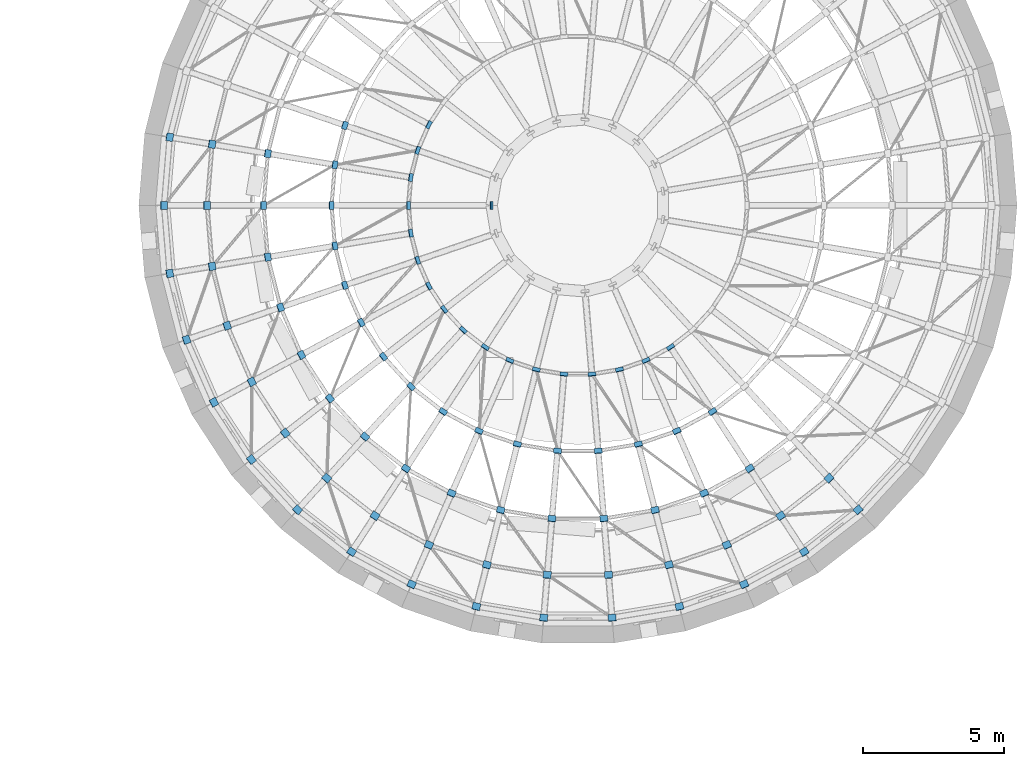
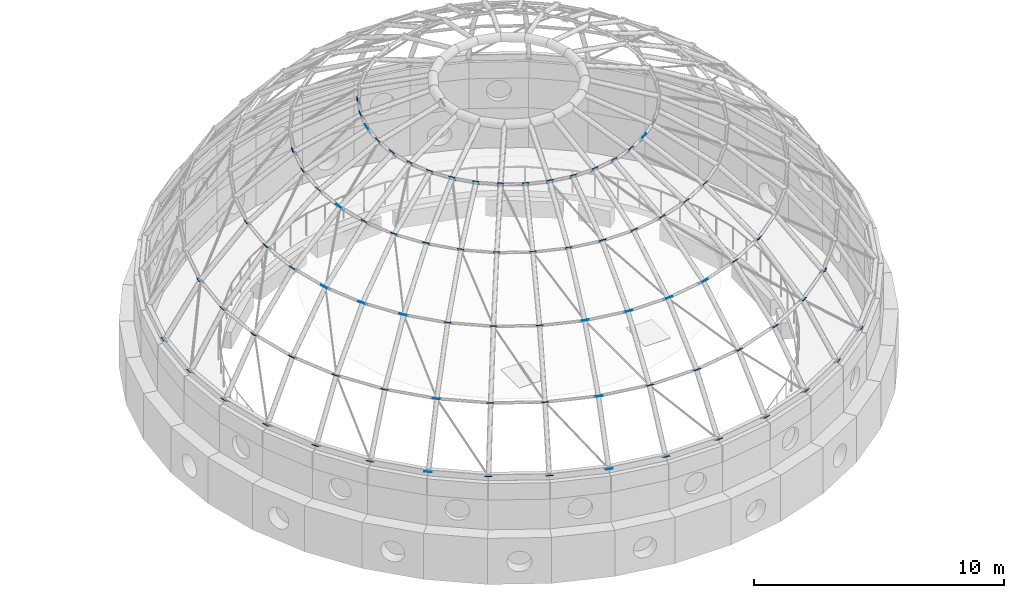
# One storey, part 63 of 98: 81 discrete accessories.
"""IFC4 building model written with IfcOpenShell, lengths in metres."""

from ifc_helpers import new_model, si_unit, direction, frame, origin, origin_2d, place, context, subcontext, project, spatial, rectangle, extrude, material, material_profile, profile_set, type_object, element, save


model = new_model("IFC4")

# Units and contexts
model_context = context("Model", 3, precision=1e-05, world=origin(), true_north=direction((0.0, 1.0)))
body_context = subcontext(model_context, "Body", "Model", "MODEL_VIEW")
ifc_project = project(units=[si_unit("LENGTHUNIT", "METRE"), si_unit("AREAUNIT", "SQUARE_METRE"), si_unit("VOLUMEUNIT", "CUBIC_METRE"), si_unit("PLANEANGLEUNIT", "RADIAN"), si_unit("MASSUNIT", "GRAM", prefix="KILO")], contexts=[model_context])

# Site, building, storey
site_placement = place(None, origin())
site = spatial("IfcSite", under=ifc_project, at=site_placement, CompositionType="ELEMENT")
building_placement = place(site_placement, origin())
building = spatial("IfcBuilding", under=site, at=building_placement, Name="Sun Court Science Centre", CompositionType="ELEMENT")
storey_placement = place(building_placement, frame((0.0, 0.0, 15.75)))
storey = spatial("IfcBuildingStorey", under=building, at=storey_placement, Name="L03", CompositionType="ELEMENT", Elevation=15.75)

# Discrete accessories
ifc_material = material(Name="Steel S355", Category="steel")
ifc_material_profile = material_profile(ifc_material, rectangle(XDim=0.280029296875, YDim=0.280029296875, at=origin_2d()), Name="PL 280x280")
ifc_profile_set = profile_set([ifc_material_profile], Name="Steel S355")
discrete_accessory_type = type_object("IfcDiscreteAccessoryType", Name="Dome node plate 280x280x20", PredefinedType="BRACKET", material=ifc_profile_set)
discrete_accessory_1_placement = place(storey_placement, frame((45.699951171875, 99.668212890625, 12.5302734375), z_axis=(0.77811909591, -0.425533880576, 0.462008213197), x_axis=(0.479812341943, 0.877371139552, 0.0)))
element("IfcDiscreteAccessory", 1, at=discrete_accessory_1_placement, inside=storey, type_object=discrete_accessory_type, Name="Dome node plate 88", PredefinedType="BRACKET", context=body_context, shape_type="SweptSolid", body=[
    extrude(rectangle(XDim=0.280029296875, YDim=0.280029296875, at=origin_2d()), origin(), (0.0, 0.0, 1.0), 0.02001953125),
])
discrete_accessory_2_placement = place(storey_placement, frame((42.716064453125, 99.643798828125, 11.112060546875), z_axis=(0.738493001556, -0.246164333852, 0.627719051322), x_axis=(0.316227766017, 0.948683298051, 0.0)))
element("IfcDiscreteAccessory", 2, at=discrete_accessory_2_placement, inside=storey, type_object=discrete_accessory_type, Name="Dome node plate 92", PredefinedType="BRACKET", context=body_context, shape_type="SweptSolid", body=[
    extrude(rectangle(XDim=0.280029296875, YDim=0.280029296875, at=origin_2d()), origin(), (0.0, 0.0, 1.0), 0.019775390625),
])
for number, where, z_axis, x_axis, name in (
    (3, (45.30029296875, 98.7568359375, 12.5302734375), (0.837919347852, -0.291450207949, 0.461462829252), (0.328520624941, 0.944496796706, 0.0), "Dome node plate 93"),
    (4, (36.49658203125, 99.22021484375, 4.341552734375), (0.51261459463, -0.085435765772, 0.854357657717), (0.164398987305, 0.986393923832, 0.0), "Dome node plate 95"),
    (5, (38.00244140625, 98.968994140625, 6.864990234375), (0.51261459463, -0.085435765772, 0.854357657717), (0.164398987305, 0.986393923832, 0.0), "Dome node plate 96"),
):
    element("IfcDiscreteAccessory", number, at=place(storey_placement, frame(where, z_axis=z_axis, x_axis=x_axis)), inside=storey, type_object=discrete_accessory_type, Name=name, PredefinedType="BRACKET", context=body_context, shape_type="SweptSolid", body=[
        extrude(rectangle(XDim=0.280029296875, YDim=0.280029296875, at=origin_2d()), origin(), (0.0, 0.0, 1.0), 0.02001953125),
    ])
discrete_accessory_3_placement = place(storey_placement, frame((39.98095703125, 98.638671875, 9.200439453125), z_axis=(0.639494658326, -0.098383793589, 0.762474400312), x_axis=(0.152057184254, 0.988371697651, 0.0)))
element("IfcDiscreteAccessory", 6, at=discrete_accessory_3_placement, inside=storey, type_object=discrete_accessory_type, Name="Dome node plate 97", PredefinedType="BRACKET", context=body_context, shape_type="SweptSolid", body=[
    extrude(rectangle(XDim=0.280029296875, YDim=0.280029296875, at=origin_2d()), origin(), (0.0, 0.0, 1.0), 0.019775390625),
])
for number, where, z_axis, x_axis, name in (
    (7, (42.36083984375, 98.24169921875, 11.112060546875), (0.770184961685, -0.134476739342, 0.623483064221), (0.17200102348, 0.985096770841, 0.0), "Dome node plate 98"),
    (8, (45.055908203125, 97.7919921875, 12.5302734375), (0.874931437699, -0.145821906283, 0.461769369896), (0.164398987305, 0.986393923832, 0.0), "Dome node plate 99"),
    (9, (36.296142578125, 96.800048828125, 4.341552734375), (0.514495755428, 0.0, 0.857492925713), (0.0, 1.0, 0.0), "Dome node plate 100"),
    (10, (37.82275390625, 96.800048828125, 6.864990234375), (0.514495755428, 0.0, 0.857492925713), (0.0, 1.0, 0.0), "Dome node plate 101"),
    (11, (39.828369140625, 96.800048828125, 9.200439453125), (0.656780744804, 0.0, 0.754081595886), (0.0, 1.0, 0.0), "Dome node plate 102"),
    (12, (42.241455078125, 96.800048828125, 11.112060546875), (0.782059551443, 0.0, 0.623203705056), (0.0, 1.0, 0.0), "Dome node plate 103"),
    (13, (44.9736328125, 96.800048828125, 12.5302734375), (0.887017774073, 0.0, 0.461735279655), (0.0, 1.0, 0.0), "Dome node plate 104"),
    (14, (47.92578125, 96.800048828125, 13.4033203125), (0.960136007106, 0.0, 0.279533267892), (0.0, 1.0, 0.0), "Dome node plate 105"),
    (15, (36.49658203125, 94.3798828125, 4.341552734375), (0.51261459463, 0.085435765772, 0.854357657717), (-0.164398987305, 0.986393923832, 0.0), "Dome node plate 106"),
    (16, (38.00244140625, 94.631103515625, 6.864990234375), (0.51261459463, 0.085435765772, 0.854357657717), (-0.164398987305, 0.986393923832, 0.0), "Dome node plate 107"),
):
    element("IfcDiscreteAccessory", number, at=place(storey_placement, frame(where, z_axis=z_axis, x_axis=x_axis)), inside=storey, type_object=discrete_accessory_type, Name=name, PredefinedType="BRACKET", context=body_context, shape_type="SweptSolid", body=[
        extrude(rectangle(XDim=0.280029296875, YDim=0.280029296875, at=origin_2d()), origin(), (0.0, 0.0, 1.0), 0.02001953125),
    ])
discrete_accessory_4_placement = place(storey_placement, frame((39.98095703125, 94.961181640625, 9.200439453125), z_axis=(0.638674143313, 0.110539755573, 0.76149609395), x_axis=(-0.170541433706, 0.985350505855, 0.0)))
element("IfcDiscreteAccessory", 17, at=discrete_accessory_4_placement, inside=storey, type_object=discrete_accessory_type, Name="Dome node plate 108", PredefinedType="BRACKET", context=body_context, shape_type="SweptSolid", body=[
    extrude(rectangle(XDim=0.280029296875, YDim=0.280029296875, at=origin_2d()), origin(), (0.0, 0.0, 1.0), 0.019775390625),
])
for number, where, z_axis, x_axis, name in (
    (18, (42.36083984375, 95.3583984375, 11.112060546875), (0.771396443966, 0.122443879995, 0.624463787972), (-0.156767544201, 0.987635528464, 0.0), "Dome node plate 109"),
    (19, (45.055908203125, 95.80810546875, 12.5302734375), (0.874931437699, 0.145821906283, 0.461769369896), (-0.164398987305, 0.986393923832, 0.0), "Dome node plate 110"),
    (20, (37.0927734375, 92.025634765625, 4.341552734375), (0.488823716738, 0.171088300858, 0.855441504291), (-0.330350424728, 0.943858356366, 0.0), "Dome node plate 111"),
    (21, (38.53662109375, 92.521240234375, 6.864990234375), (0.498041020004, 0.170062787318, 0.850313936592), (-0.323143853292, 0.946349856068, 0.0), "Dome node plate 112"),
):
    element("IfcDiscreteAccessory", number, at=place(storey_placement, frame(where, z_axis=z_axis, x_axis=x_axis)), inside=storey, type_object=discrete_accessory_type, Name=name, PredefinedType="BRACKET", context=body_context, shape_type="SweptSolid", body=[
        extrude(rectangle(XDim=0.280029296875, YDim=0.280029296875, at=origin_2d()), origin(), (0.0, 0.0, 1.0), 0.02001953125),
    ])
for number, where, z_axis, x_axis, name in (
    (22, (40.433837890625, 93.172607421875, 9.200439453125), (0.613924557236, 0.20873434946, 0.761266450973), (-0.321902733239, 0.94677274482, 0.0), "Dome node plate 113"),
    (23, (42.716064453125, 93.9560546875, 11.112060546875), (0.736210173832, 0.257673560841, 0.625778647757), (-0.330350424728, 0.943858356366, 0.0), "Dome node plate 114"),
):
    element("IfcDiscreteAccessory", number, at=place(storey_placement, frame(where, z_axis=z_axis, x_axis=x_axis)), inside=storey, type_object=discrete_accessory_type, Name=name, PredefinedType="BRACKET", context=body_context, shape_type="SweptSolid", body=[
        extrude(rectangle(XDim=0.280029296875, YDim=0.280029296875, at=origin_2d()), origin(), (0.0, 0.0, 1.0), 0.019775390625),
    ])
for number, where, z_axis, x_axis, name in (
    (24, (45.30029296875, 94.84326171875, 12.5302734375), (0.837919347852, 0.291450207949, 0.461462829252), (-0.328520624941, 0.944496796706, 0.0), "Dome node plate 115"),
    (25, (38.068359375, 89.8017578125, 4.341552734375), (0.453076320995, 0.244906119457, 0.857171418099), (-0.475517034365, 0.879706513576, 0.0), "Dome node plate 117"),
    (26, (39.410888671875, 90.5283203125, 6.864990234375), (0.462726972936, 0.243540512072, 0.852391792251), (-0.465746432833, 0.884918222382, 0.0), "Dome node plate 118"),
    (27, (41.175048828125, 91.48291015625, 9.200439453125), (0.572957744174, 0.316955347841, 0.755816598697), (-0.484061385167, 0.875034042418, 0.0), "Dome node plate 119"),
    (28, (43.297119140625, 92.63134765625, 11.112060546875), (0.684251023036, 0.378781816324, 0.623157181694), (-0.484315883017, 0.87489320803, 0.0), "Dome node plate 120"),
    (29, (45.699951171875, 93.931884765625, 12.5302734375), (0.782117946781, 0.415500159227, 0.464382530901), (-0.469155225962, 0.883115719457, 0.0), "Dome node plate 121"),
    (30, (39.396484375, 87.7685546875, 4.341552734375), (0.414387707005, 0.316884717122, 0.853151161482), (-0.607450107571, 0.794357832977, 0.0), "Dome node plate 122"),
    (31, (40.601318359375, 88.706298828125, 6.864990234375), (0.40421633776, 0.318473478235, 0.857428595248), (-0.618872226604, 0.785491672228, 0.0), "Dome node plate 123"),
    (32, (42.18408203125, 89.938232421875, 9.200439453125), (0.513226580635, 0.403249456213, 0.757620190461), (-0.617821551932, 0.786318338822, 0.0), "Dome node plate 124"),
    (33, (44.088134765625, 91.42041015625, 11.112060546875), (0.621997473275, 0.475645126622, 0.621997473275), (-0.607450107571, 0.794357832977, 0.0), "Dome node plate 125"),
    (34, (46.244384765625, 93.0986328125, 12.5302734375), (0.706267485008, 0.535789126558, 0.462726972936), (-0.604386481374, 0.796691270902, 0.0), "Dome node plate 126"),
    (35, (41.041259765625, 85.98193359375, 4.341552734375), (0.354238521157, 0.378668763996, 0.855058499345), (-0.730271413519, 0.683157128776, 0.0), "Dome node plate 128"),
    (36, (42.0751953125, 87.105224609375, 6.864990234375), (0.354238521157, 0.378668763996, 0.855058499345), (-0.730271413519, 0.683157128776, 0.0), "Dome node plate 129"),
    (37, (43.433837890625, 88.580810546875, 9.200439453125), (0.44109565921, 0.47785363081, 0.759664746416), (-0.734803444627, 0.678280102733, 0.0), "Dome node plate 130"),
    (38, (45.06787109375, 90.356201171875, 11.112060546875), (0.535709697438, 0.572235358627, 0.620936240212), (-0.730021398632, 0.683424288081, 0.0), "Dome node plate 131"),
    (39, (46.91845703125, 92.3662109375, 12.5302734375), (0.595923637316, 0.656732171736, 0.462144861592), (-0.740560305137, 0.671989906513, 0.0), "Dome node plate 132"),
    (40, (42.957763671875, 84.490234375, 4.341552734375), (0.280466949991, 0.438991747812, 0.85359506519), (-0.842696259812, 0.538389277102, 0.0), "Dome node plate 133"),
    (41, (43.792724609375, 85.7685546875, 6.864990234375), (0.281959309119, 0.429068513877, 0.858137027753), (-0.835705479701, 0.549177886661, 0.0), "Dome node plate 134"),
    (42, (44.8896484375, 87.447509765625, 9.200439453125), (0.364635541535, 0.546953312302, 0.753580119172), (-0.832050294338, 0.554700196225, 0.0), "Dome node plate 135"),
    (43, (46.20947265625, 89.467529296875, 11.112060546875), (0.426259106492, 0.65765690716, 0.621120412317), (-0.839152986556, 0.54389545425, 0.0), "Dome node plate 136"),
    (44, (47.703857421875, 91.7548828125, 12.5302734375), (0.486324434944, 0.74164476329, 0.462008213197), (-0.836244367386, 0.54835696222, 0.0), "Dome node plate 137"),
    (45, (45.093505859375, 83.33447265625, 4.341552734375), (0.207533237602, 0.476105662733, 0.854548625418), (-0.916695964708, 0.399585420514, 0.0), "Dome node plate 139"),
    (46, (45.706787109375, 84.732666015625, 6.864990234375), (0.207533237602, 0.476105662733, 0.854548625418), (-0.916695964708, 0.399585420514, 0.0), "Dome node plate 140"),
    (47, (46.512451171875, 86.5693359375, 9.200439453125), (0.256824297357, 0.599256693833, 0.758243163625), (-0.919145030018, 0.393919298579, 0.0), "Dome node plate 141"),
    (48, (47.481689453125, 88.779052734375, 11.112060546875), (0.316274555655, 0.717699953217, 0.620384705323), (-0.915086186066, 0.403258319283, 0.0), "Dome node plate 142"),
    (49, (48.579345703125, 91.28125, 12.5302734375), (0.352350913471, 0.814052110433, 0.461701196962), (-0.917722116807, 0.397223005782, 0.0), "Dome node plate 143"),
    (50, (47.390380859375, 82.5458984375, 4.341552734375), (0.122343038988, 0.50160645985, 0.856401272914), (-0.971520338783, 0.236956180191, 0.0), "Dome node plate 144"),
    (51, (47.76513671875, 84.02587890625, 6.864990234375), (0.134366335611, 0.500819978188, 0.855058499345), (-0.965842837235, 0.259128566087, 0.0), "Dome node plate 145"),
    (52, (48.257568359375, 85.97021484375, 9.200439453125), (0.158619171872, 0.634476687487, 0.756491435081), (-0.970142500145, 0.242535625036, 0.0), "Dome node plate 146"),
):
    element("IfcDiscreteAccessory", number, at=place(storey_placement, frame(where, z_axis=z_axis, x_axis=x_axis)), inside=storey, type_object=discrete_accessory_type, Name=name, PredefinedType="BRACKET", context=body_context, shape_type="SweptSolid", body=[
        extrude(rectangle(XDim=0.280029296875, YDim=0.280029296875, at=origin_2d()), origin(), (0.0, 0.0, 1.0), 0.02001953125),
    ])
discrete_accessory_5_placement = place(storey_placement, frame((48.849853515625, 88.309326171875, 11.112060546875), z_axis=(0.193658623529, 0.762530830144, 0.617286862498), x_axis=(-0.969230769231, 0.246153846154, 0.0)))
element("IfcDiscreteAccessory", 53, at=discrete_accessory_5_placement, inside=storey, type_object=discrete_accessory_type, Name="Dome node plate 147", PredefinedType="BRACKET", context=body_context, shape_type="SweptSolid", body=[
    extrude(rectangle(XDim=0.280029296875, YDim=0.280029296875, at=origin_2d()), origin(), (0.0, 0.0, 1.0), 0.020263671875),
])
for number, where, z_axis, x_axis, name in (
    (54, (49.520751953125, 90.9580078125, 12.5302734375), (0.206550535483, 0.862652236429, 0.461701196962), (-0.972511496915, 0.232854865459, 0.0), "Dome node plate 148"),
    (55, (49.78564453125, 82.146240234375, 4.341552734375), (0.048940878423, 0.513879223444, 0.856465372407), (-0.995495472594, 0.094809092628, 0.0), "Dome node plate 150"),
    (56, (49.911865234375, 83.667724609375, 6.864990234375), (0.036724905952, 0.514148683335, 0.856914472225), (-0.997458699831, 0.071247049988, 0.0), "Dome node plate 151"),
    (57, (50.077392578125, 85.666748046875, 9.200439453125), (0.061185258185, 0.648563736756, 0.758697201488), (-0.995579502714, 0.093922594596, 0.0), "Dome node plate 152"),
    (58, (50.276611328125, 88.0712890625, 11.112060546875), (0.073121811701, 0.779965991482, 0.621535399462), (-0.995634226059, 0.093340708693, 0.0), "Dome node plate 153"),
):
    element("IfcDiscreteAccessory", number, at=place(storey_placement, frame(where, z_axis=z_axis, x_axis=x_axis)), inside=storey, type_object=discrete_accessory_type, Name=name, PredefinedType="BRACKET", context=body_context, shape_type="SweptSolid", body=[
        extrude(rectangle(XDim=0.280029296875, YDim=0.280029296875, at=origin_2d()), origin(), (0.0, 0.0, 1.0), 0.02001953125),
    ])
discrete_accessory_6_placement = place(storey_placement, frame((50.50244140625, 90.794189453125, 12.5302734375), z_axis=(0.0727125848, 0.884669781729, 0.460513037065), x_axis=(-0.996639273542, 0.081915556729, 0.0)))
element("IfcDiscreteAccessory", 59, at=discrete_accessory_6_placement, inside=storey, type_object=discrete_accessory_type, Name="Dome node plate 154", PredefinedType="BRACKET", context=body_context, shape_type="SweptSolid", body=[
    extrude(rectangle(XDim=0.280029296875, YDim=0.280029296875, at=origin_2d()), origin(), (0.0, 0.0, 1.0), 0.020263671875),
])
for number, where, z_axis, x_axis, name in (
    (60, (52.21435546875, 82.146240234375, 4.341552734375), (-0.048940878423, 0.513879223444, 0.856465372407), (-0.995495472594, -0.094809092628, 0.0), "Dome node plate 155"),
    (61, (52.088134765625, 83.667724609375, 6.864990234375), (-0.036724905952, 0.514148683335, 0.856914472225), (-0.997458699831, -0.071247049988, 0.0), "Dome node plate 156"),
    (62, (51.922607421875, 85.666748046875, 9.200439453125), (-0.061185258185, 0.648563736756, 0.758697201488), (-0.995579502714, -0.093922594596, 0.0), "Dome node plate 157"),
    (63, (51.723388671875, 88.0712890625, 11.112060546875), (-0.073121811701, 0.779965991482, 0.621535399462), (-0.995634226059, -0.093340708693, 0.0), "Dome node plate 158"),
):
    element("IfcDiscreteAccessory", number, at=place(storey_placement, frame(where, z_axis=z_axis, x_axis=x_axis)), inside=storey, type_object=discrete_accessory_type, Name=name, PredefinedType="BRACKET", context=body_context, shape_type="SweptSolid", body=[
        extrude(rectangle(XDim=0.280029296875, YDim=0.280029296875, at=origin_2d()), origin(), (0.0, 0.0, 1.0), 0.02001953125),
    ])
discrete_accessory_7_placement = place(storey_placement, frame((51.49755859375, 90.794189453125, 12.5302734375), z_axis=(-0.0727125848, 0.884669781729, 0.460513037065), x_axis=(-0.996639273542, -0.081915556729, 0.0)))
element("IfcDiscreteAccessory", 64, at=discrete_accessory_7_placement, inside=storey, type_object=discrete_accessory_type, Name="Dome node plate 159", PredefinedType="BRACKET", context=body_context, shape_type="SweptSolid", body=[
    extrude(rectangle(XDim=0.280029296875, YDim=0.280029296875, at=origin_2d()), origin(), (0.0, 0.0, 1.0), 0.020263671875),
])
for number, where, z_axis, x_axis, name in (
    (65, (54.609619140625, 82.5458984375, 4.341552734375), (-0.122343038988, 0.50160645985, 0.856401272914), (-0.971520338783, -0.236956180191, 0.0), "Dome node plate 161"),
    (66, (54.23486328125, 84.02587890625, 6.864990234375), (-0.134366335611, 0.500819978188, 0.855058499345), (-0.965842837235, -0.259128566087, 0.0), "Dome node plate 162"),
    (67, (53.742431640625, 85.97021484375, 9.200439453125), (-0.158619171872, 0.634476687487, 0.756491435081), (-0.970142500145, -0.242535625036, 0.0), "Dome node plate 163"),
):
    element("IfcDiscreteAccessory", number, at=place(storey_placement, frame(where, z_axis=z_axis, x_axis=x_axis)), inside=storey, type_object=discrete_accessory_type, Name=name, PredefinedType="BRACKET", context=body_context, shape_type="SweptSolid", body=[
        extrude(rectangle(XDim=0.280029296875, YDim=0.280029296875, at=origin_2d()), origin(), (0.0, 0.0, 1.0), 0.02001953125),
    ])
discrete_accessory_8_placement = place(storey_placement, frame((53.150146484375, 88.309326171875, 11.112060546875), z_axis=(-0.193658623529, 0.762530830144, 0.617286862498), x_axis=(-0.969230769231, -0.246153846154, 0.0)))
element("IfcDiscreteAccessory", 68, at=discrete_accessory_8_placement, inside=storey, type_object=discrete_accessory_type, Name="Dome node plate 164", PredefinedType="BRACKET", context=body_context, shape_type="SweptSolid", body=[
    extrude(rectangle(XDim=0.280029296875, YDim=0.280029296875, at=origin_2d()), origin(), (0.0, 0.0, 1.0), 0.020263671875),
])
for number, where, z_axis, x_axis, name in (
    (69, (52.479248046875, 90.9580078125, 12.5302734375), (-0.206550535483, 0.862652236429, 0.461701196962), (-0.972511496915, -0.232854865459, 0.0), "Dome node plate 165"),
    (70, (56.906494140625, 83.33447265625, 4.341552734375), (-0.207533237602, 0.476105662733, 0.854548625418), (-0.916695964708, -0.399585420514, 0.0), "Dome node plate 166"),
    (71, (56.293212890625, 84.732666015625, 6.864990234375), (-0.207533237602, 0.476105662733, 0.854548625418), (-0.916695964708, -0.399585420514, 0.0), "Dome node plate 167"),
    (72, (55.487548828125, 86.5693359375, 9.200439453125), (-0.256824297357, 0.599256693833, 0.758243163625), (-0.919145030018, -0.393919298579, 0.0), "Dome node plate 168"),
    (73, (54.518310546875, 88.779052734375, 11.112060546875), (-0.316274555655, 0.717699953217, 0.620384705323), (-0.915086186066, -0.403258319283, 0.0), "Dome node plate 169"),
    (74, (53.420654296875, 91.28125, 12.5302734375), (-0.352350913471, 0.814052110433, 0.461701196962), (-0.917722116807, -0.397223005782, 0.0), "Dome node plate 170"),
    (75, (59.042236328125, 84.490234375, 4.341552734375), (-0.280466949991, 0.438991747812, 0.85359506519), (-0.842696259812, -0.538389277102, 0.0), "Dome node plate 172"),
    (76, (58.207275390625, 85.7685546875, 6.864990234375), (-0.281959309119, 0.429068513877, 0.858137027753), (-0.835705479701, -0.549177886661, 0.0), "Dome node plate 173"),
    (77, (57.1103515625, 87.447509765625, 9.200439453125), (-0.364635541535, 0.546953312302, 0.753580119172), (-0.832050294338, -0.554700196225, 0.0), "Dome node plate 174"),
    (78, (55.79052734375, 89.467529296875, 11.112060546875), (-0.426259106492, 0.65765690716, 0.621120412317), (-0.839152986556, -0.54389545425, 0.0), "Dome node plate 175"),
    (79, (54.296142578125, 91.7548828125, 12.5302734375), (-0.486324434944, 0.74164476329, 0.462008213197), (-0.836244367386, -0.54835696222, 0.0), "Dome node plate 176"),
    (80, (60.958740234375, 85.98193359375, 4.341552734375), (-0.354238521157, 0.378668763996, 0.855058499345), (-0.730271413519, -0.683157128776, 0.0), "Dome node plate 177"),
    (81, (59.9248046875, 87.105224609375, 6.864990234375), (-0.354238521157, 0.378668763996, 0.855058499345), (-0.730271413519, -0.683157128776, 0.0), "Dome node plate 178"),
):
    element("IfcDiscreteAccessory", number, at=place(storey_placement, frame(where, z_axis=z_axis, x_axis=x_axis)), inside=storey, type_object=discrete_accessory_type, Name=name, PredefinedType="BRACKET", context=body_context, shape_type="SweptSolid", body=[
        extrude(rectangle(XDim=0.280029296875, YDim=0.280029296875, at=origin_2d()), origin(), (0.0, 0.0, 1.0), 0.02001953125),
    ])

save(model, "model.ifc")
